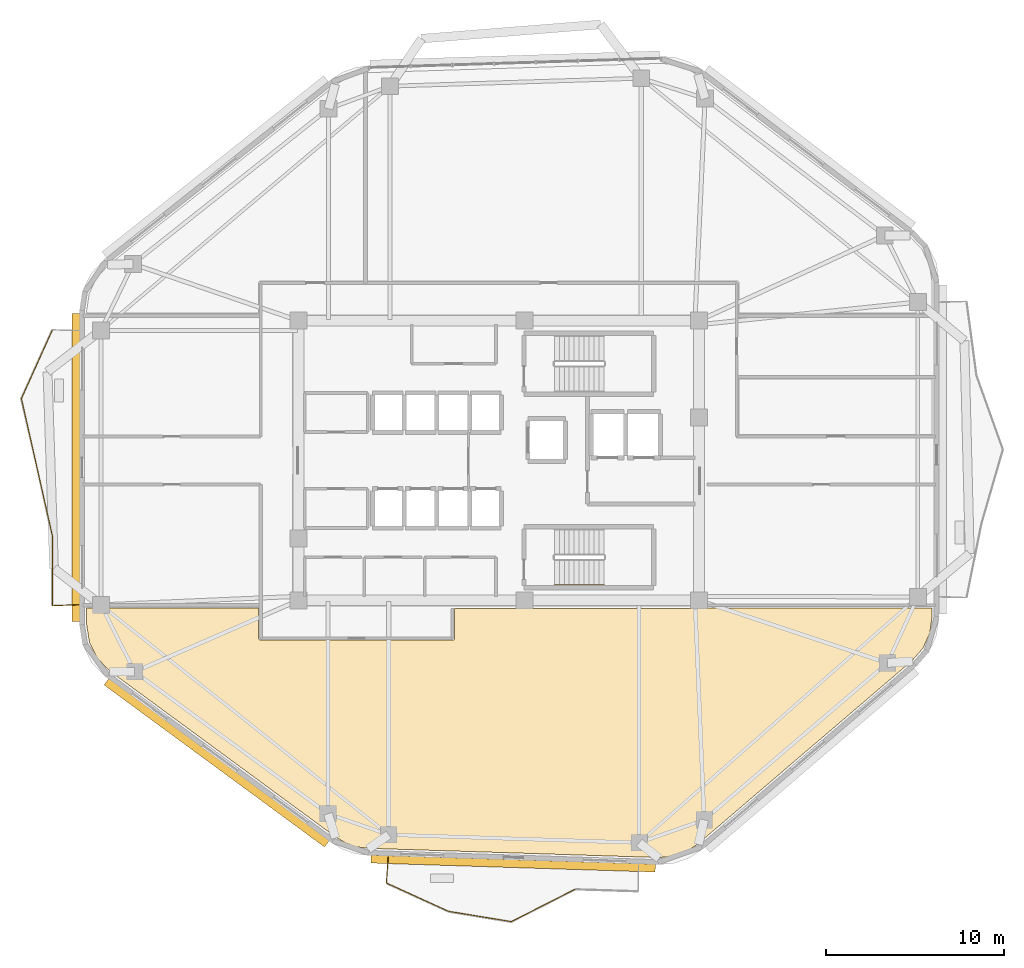
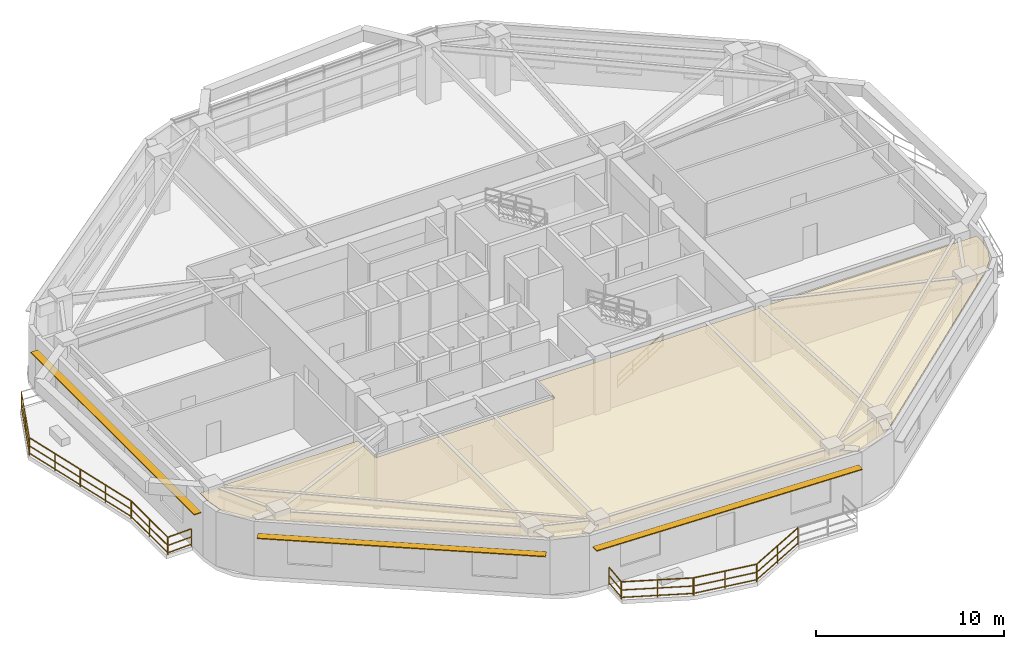
# One storey, part 10 of 12: 9 railings, 3 shading devices, 1 covering.
"""IFC4 building model written with IfcOpenShell, lengths in metres."""

from ifc_helpers import new_model, si_unit, direction, frame, origin, origin_2d, place, context, subcontext, project, spatial, polyline, rectangle, outline, extrude, material, layer, layer_set, type_object, element, save


model = new_model("IFC4")

# Units and contexts
model_context = context("Model", 3, precision=1e-05, world=origin(), true_north=direction((0.0, 1.0)))
body_context = subcontext(model_context, "Body", "Model", "MODEL_VIEW")
ifc_project = project(units=[si_unit("LENGTHUNIT", "METRE"), si_unit("AREAUNIT", "SQUARE_METRE"), si_unit("VOLUMEUNIT", "CUBIC_METRE"), si_unit("PLANEANGLEUNIT", "RADIAN"), si_unit("MASSUNIT", "GRAM", prefix="KILO")], contexts=[model_context])

# Site, building, storey
site_placement = place(None, origin())
site = spatial("IfcSite", under=ifc_project, at=site_placement, CompositionType="ELEMENT")
building_placement = place(site_placement, origin())
building = spatial("IfcBuilding", under=site, at=building_placement, Name="Zulverin Broadcast Headquarters", CompositionType="ELEMENT")
storey_placement = place(building_placement, frame((0.0, 0.0, 170.60009765625)))
storey = spatial("IfcBuildingStorey", under=building, at=storey_placement, Name="L43", CompositionType="ELEMENT", Elevation=170.60009765625)

# Covering
ifc_material_1 = material(Name="Perforated pale-metal acoustic baffle ceiling", Category="aluminium")
ifc_layer_1 = layer(ifc_material_1, 0.0400390625, Name="Perforated pale-metal acoustic baffle ceiling", Category="aluminium")
ifc_layer_set_1 = layer_set([ifc_layer_1], Name="Perforated pale-metal acoustic baffle ceiling")
covering_type = type_object("IfcCoveringType", Name="COV-CEIL-ACOU", PredefinedType="CEILING", material=ifc_layer_set_1)
covering_placement = place(storey_placement, frame((0.0, 0.0, 3.35986328125)))
element("IfcCovering", 1, at=covering_placement, inside=storey, type_object=covering_type, Name="L43 Acoustic Baffle Ceiling 03", PredefinedType="CEILING", context=body_context, shape_type="SweptSolid", body=[
    extrude(outline(polyline([(23.48388671875, 15.176025390625), (23.47998046875, 15.18798828125), (23.47998046875, 15.199951171875), (23.47998046875, 16.89990234375), (13.800048828125, 16.89990234375), (13.800048828125, 15.951904296875), (13.9599609375, 14.93994140625), (14.407958984375, 14.055908203125), (15.132080078125, 13.323974609375), (27.823974609375, 3.99609375), (28.39599609375, 3.659912109375), (29.0, 3.447998046875), (29.652099609375, 3.364013671875), (46.008056640625, 2.843994140625), (46.820068359375, 2.919921875), (47.56005859375, 3.179931640625), (48.236083984375, 3.6279296875), (60.260009765625, 13.916015625), (60.884033203125, 14.6279296875), (61.263916015625, 15.464111328125), (61.39990234375, 16.39599609375), (61.39990234375, 16.89990234375), (48.66796875, 16.89990234375), (48.656005859375, 16.89599609375), (48.64404296875, 16.887939453125), (48.635986328125, 16.884033203125), (48.6240234375, 16.884033203125), (48.612060546875, 16.8798828125), (48.60009765625, 16.8798828125), (34.52001953125, 16.8798828125), (34.52001953125, 15.199951171875), (34.52001953125, 15.18798828125), (34.51611328125, 15.176025390625), (34.51611328125, 15.1640625), (34.511962890625, 15.156005859375), (34.50390625, 15.14404296875), (34.5, 15.132080078125), (34.491943359375, 15.1240234375), (34.48388671875, 15.115966796875), (34.47607421875, 15.10791015625), (34.468017578125, 15.10009765625), (34.4560546875, 15.095947265625), (34.444091796875, 15.087890625), (34.43603515625, 15.083984375), (34.424072265625, 15.083984375), (34.412109375, 15.080078125), (34.39990234375, 15.080078125), (23.60009765625, 15.080078125), (23.587890625, 15.080078125), (23.575927734375, 15.083984375), (23.56396484375, 15.083984375), (23.555908203125, 15.087890625), (23.5439453125, 15.095947265625), (23.531982421875, 15.10009765625), (23.52392578125, 15.10791015625), (23.51611328125, 15.115966796875), (23.508056640625, 15.1240234375), (23.5, 15.132080078125), (23.49609375, 15.14404296875), (23.488037109375, 15.156005859375), (23.48388671875, 15.1640625), (23.48388671875, 15.176025390625)])), origin(), (0.0, 0.0, 1.0), 0.0400390625),
])

# Railings
ifc_material_2 = material(Name="Brushed stainless steel & laminated glass balustrade", Category="steel")
railing_type_1 = type_object("IfcRailingType", Name="RL-GUARD-1150", PredefinedType="GUARDRAIL", material=ifc_material_2)
railing_1_placement = place(storey_placement, frame((30.779296875, 2.8876953125, 0.0)))
element("IfcRailing", 2, at=railing_1_placement, inside=storey, type_object=railing_type_1, Name="L43 Vertical-Forest Balcony Guardrail BAL_S Segment 01", PredefinedType="GUARDRAIL", context=body_context, shape_type="SweptSolid", body=[
    extrude(rectangle(XDim=0.048095703125, YDim=0.048095703125, at=origin_2d()), frame((0.0, 0.0, 1.1259765625), z_axis=(-0.072276661537, -0.997384621997, 0.0), x_axis=(0.997384621997, -0.072276661537, 0.0)), (0.0, 0.0, 1.0), 1.466064453125),
    extrude(rectangle(XDim=0.0419921875, YDim=0.0419921875, at=origin_2d()), frame((0.0, 0.0, 0.597900390625), z_axis=(-0.072276661537, -0.997384621997, 0.0), x_axis=(0.997384621997, -0.072276661537, 0.0)), (0.0, 0.0, 1.0), 1.466064453125),
    extrude(rectangle(XDim=0.0419921875, YDim=0.0419921875, at=origin_2d()), frame((0.0, 0.0, 0.1201171875), z_axis=(-0.072276661537, -0.997384621997, 0.0), x_axis=(0.997384621997, -0.072276661537, 0.0)), (0.0, 0.0, 1.0), 1.466064453125),
    extrude(rectangle(XDim=0.0419921875, YDim=0.0419921875, at=origin_2d()), origin(), (0.0, 0.0, 1.0), 1.101806640625),
    extrude(rectangle(XDim=0.0419921875, YDim=0.0419921875, at=origin_2d()), frame((-0.10595703125, -1.462158203125, 0.0)), (0.0, 0.0, 1.0), 1.101806640625),
])
railing_2_placement = place(storey_placement, frame((30.68603515625, 1.404296875, 0.0)))
element("IfcRailing", 3, at=railing_2_placement, inside=storey, type_object=railing_type_1, Name="L43 Vertical-Forest Balcony Guardrail BAL_S Segment 02", PredefinedType="GUARDRAIL", context=body_context, shape_type="SweptSolid", body=[
    extrude(rectangle(XDim=0.048095703125, YDim=0.048095703125, at=origin_2d()), frame((0.0, 0.0, 1.1259765625), z_axis=(0.910134269116, -0.414313422641, 0.0), x_axis=(0.414313422641, 0.910134269116, 0.0)), (0.0, 0.0, 1.0), 3.819091796875),
    extrude(rectangle(XDim=0.0419921875, YDim=0.0419921875, at=origin_2d()), frame((0.0, 0.0, 0.597900390625), z_axis=(0.910134269116, -0.414313422641, 0.0), x_axis=(0.414313422641, 0.910134269116, 0.0)), (0.0, 0.0, 1.0), 3.819091796875),
    extrude(rectangle(XDim=0.0419921875, YDim=0.0419921875, at=origin_2d()), frame((0.0, 0.0, 0.1201171875), z_axis=(0.910134269116, -0.414313422641, 0.0), x_axis=(0.414313422641, 0.910134269116, 0.0)), (0.0, 0.0, 1.0), 3.819091796875),
    extrude(rectangle(XDim=0.0419921875, YDim=0.0419921875, at=origin_2d()), origin(), (0.0, 0.0, 1.0), 1.101806640625),
    extrude(rectangle(XDim=0.0419921875, YDim=0.0419921875, at=origin_2d()), frame((1.73779296875, -0.791015625, 0.0)), (0.0, 0.0, 1.0), 1.101806640625),
    extrude(rectangle(XDim=0.0419921875, YDim=0.0419921875, at=origin_2d()), frame((3.475830078125, -1.582275390625, 0.0)), (0.0, 0.0, 1.0), 1.101806640625),
])
railing_3_placement = place(storey_placement, frame((34.1904296875, -0.186767578125, 0.0)))
element("IfcRailing", 4, at=railing_3_placement, inside=storey, type_object=railing_type_1, Name="L43 Vertical-Forest Balcony Guardrail BAL_S Segment 03", PredefinedType="GUARDRAIL", context=body_context, shape_type="SweptSolid", body=[
    extrude(rectangle(XDim=0.048095703125, YDim=0.048095703125, at=origin_2d()), frame((0.0, 0.0, 1.1259765625), z_axis=(0.986828744183, -0.161768444555, 0.0), x_axis=(0.161768444555, 0.986828744183, 0.0)), (0.0, 0.0, 1.0), 3.552734375),
    extrude(rectangle(XDim=0.0419921875, YDim=0.0419921875, at=origin_2d()), frame((0.0, 0.0, 0.597900390625), z_axis=(0.986828744183, -0.161768444555, 0.0), x_axis=(0.161768444555, 0.986828744183, 0.0)), (0.0, 0.0, 1.0), 3.552734375),
    extrude(rectangle(XDim=0.0419921875, YDim=0.0419921875, at=origin_2d()), frame((0.0, 0.0, 0.1201171875), z_axis=(0.986828744183, -0.161768444555, 0.0), x_axis=(0.161768444555, 0.986828744183, 0.0)), (0.0, 0.0, 1.0), 3.552734375),
    extrude(rectangle(XDim=0.0419921875, YDim=0.0419921875, at=origin_2d()), origin(), (0.0, 0.0, 1.0), 1.101806640625),
    extrude(rectangle(XDim=0.0419921875, YDim=0.0419921875, at=origin_2d()), frame((1.7529296875, -0.287353515625, 0.0)), (0.0, 0.0, 1.0), 1.101806640625),
    extrude(rectangle(XDim=0.0419921875, YDim=0.0419921875, at=origin_2d()), frame((3.505859375, -0.57470703125, 0.0)), (0.0, 0.0, 1.0), 1.101806640625),
])
railing_4_placement = place(storey_placement, frame((37.724609375, -0.757080078125, 0.0)))
element("IfcRailing", 5, at=railing_4_placement, inside=storey, type_object=railing_type_1, Name="L43 Vertical-Forest Balcony Guardrail BAL_S Segment 04", PredefinedType="GUARDRAIL", context=body_context, shape_type="SweptSolid", body=[
    extrude(rectangle(XDim=0.048095703125, YDim=0.048095703125, at=origin_2d()), frame((0.0, 0.0, 1.1259765625), z_axis=(0.891383883222, 0.453249128772, 0.0), x_axis=(-0.453249128772, 0.891383883222, 0.0)), (0.0, 0.0, 1.0), 4.02197265625),
    extrude(rectangle(XDim=0.0419921875, YDim=0.0419921875, at=origin_2d()), frame((0.0, 0.0, 0.597900390625), z_axis=(0.891383883222, 0.453249128772, 0.0), x_axis=(-0.453249128772, 0.891383883222, 0.0)), (0.0, 0.0, 1.0), 4.02197265625),
    extrude(rectangle(XDim=0.0419921875, YDim=0.0419921875, at=origin_2d()), frame((0.0, 0.0, 0.1201171875), z_axis=(0.891383883222, 0.453249128772, 0.0), x_axis=(-0.453249128772, 0.891383883222, 0.0)), (0.0, 0.0, 1.0), 4.02197265625),
    extrude(rectangle(XDim=0.0419921875, YDim=0.0419921875, at=origin_2d()), origin(), (0.0, 0.0, 1.0), 1.101806640625),
    extrude(rectangle(XDim=0.0419921875, YDim=0.0419921875, at=origin_2d()), frame((1.79248046875, 0.91162109375, 0.0)), (0.0, 0.0, 1.0), 1.101806640625),
    extrude(rectangle(XDim=0.0419921875, YDim=0.0419921875, at=origin_2d()), frame((3.585205078125, 1.822998046875, 0.0)), (0.0, 0.0, 1.0), 1.101806640625),
])
railing_5_placement = place(storey_placement, frame((11.873779296875, 32.5595703125, 0.0)))
element("IfcRailing", 6, at=railing_5_placement, inside=storey, type_object=railing_type_1, Name="L43 Vertical-Forest Balcony Guardrail BAL_W Segment 02", PredefinedType="GUARDRAIL", context=body_context, shape_type="SweptSolid", body=[
    extrude(rectangle(XDim=0.048095703125, YDim=0.048095703125, at=origin_2d()), frame((0.0, 0.0, 1.1259765625), z_axis=(-0.41125615734, -0.911519814952, 0.0), x_axis=(0.911519814952, -0.41125615734, 0.0)), (0.0, 0.0, 1.0), 4.235107421875),
    extrude(rectangle(XDim=0.0419921875, YDim=0.0419921875, at=origin_2d()), frame((0.0, 0.0, 0.597900390625), z_axis=(-0.41125615734, -0.911519814952, 0.0), x_axis=(0.911519814952, -0.41125615734, 0.0)), (0.0, 0.0, 1.0), 4.235107421875),
    extrude(rectangle(XDim=0.0419921875, YDim=0.0419921875, at=origin_2d()), frame((0.0, 0.0, 0.1201171875), z_axis=(-0.41125615734, -0.911519814952, 0.0), x_axis=(0.911519814952, -0.41125615734, 0.0)), (0.0, 0.0, 1.0), 4.235107421875),
    extrude(rectangle(XDim=0.0419921875, YDim=0.0419921875, at=origin_2d()), origin(), (0.0, 0.0, 1.0), 1.101806640625),
    extrude(rectangle(XDim=0.0419921875, YDim=0.0419921875, at=origin_2d()), frame((-0.870849609375, -1.93017578125, 0.0)), (0.0, 0.0, 1.0), 1.101806640625),
    extrude(rectangle(XDim=0.0419921875, YDim=0.0419921875, at=origin_2d()), frame((-1.74169921875, -3.8603515625, 0.0)), (0.0, 0.0, 1.0), 1.101806640625),
])
railing_6_placement = place(storey_placement, frame((10.12939453125, 28.6708984375, 0.0)))
element("IfcRailing", 7, at=railing_6_placement, inside=storey, type_object=railing_type_1, Name="L43 Vertical-Forest Balcony Guardrail BAL_W Segment 03", PredefinedType="GUARDRAIL", context=body_context, shape_type="SweptSolid", body=[
    extrude(rectangle(XDim=0.048095703125, YDim=0.048095703125, at=origin_2d()), frame((0.0, 0.0, 1.1259765625), z_axis=(0.22003156719, -0.975492752121, 0.0), x_axis=(0.975492752121, 0.22003156719, 0.0)), (0.0, 0.0, 1.0), 7.941162109375),
    extrude(rectangle(XDim=0.0419921875, YDim=0.0419921875, at=origin_2d()), frame((0.0, 0.0, 0.597900390625), z_axis=(0.22003156719, -0.975492752121, 0.0), x_axis=(0.975492752121, 0.22003156719, 0.0)), (0.0, 0.0, 1.0), 7.941162109375),
    extrude(rectangle(XDim=0.0419921875, YDim=0.0419921875, at=origin_2d()), frame((0.0, 0.0, 0.1201171875), z_axis=(0.22003156719, -0.975492752121, 0.0), x_axis=(0.975492752121, 0.22003156719, 0.0)), (0.0, 0.0, 1.0), 7.941162109375),
    extrude(rectangle(XDim=0.0419921875, YDim=0.0419921875, at=origin_2d()), origin(), (0.0, 0.0, 1.0), 1.101806640625),
    extrude(rectangle(XDim=0.0419921875, YDim=0.0419921875, at=origin_2d()), frame((0.436767578125, -1.9365234375, 0.0)), (0.0, 0.0, 1.0), 1.101806640625),
    extrude(rectangle(XDim=0.0419921875, YDim=0.0419921875, at=origin_2d()), frame((0.87353515625, -3.873291015625, 0.0)), (0.0, 0.0, 1.0), 1.101806640625),
    extrude(rectangle(XDim=0.0419921875, YDim=0.0419921875, at=origin_2d()), frame((1.310546875, -5.81005859375, 0.0)), (0.0, 0.0, 1.0), 1.101806640625),
    extrude(rectangle(XDim=0.0419921875, YDim=0.0419921875, at=origin_2d()), frame((1.747314453125, -7.74658203125, 0.0)), (0.0, 0.0, 1.0), 1.101806640625),
])
railing_7_placement = place(storey_placement, frame((11.8798828125, 20.894775390625, 0.0)))
element("IfcRailing", 8, at=railing_7_placement, inside=storey, type_object=railing_type_1, Name="L43 Vertical-Forest Balcony Guardrail BAL_W Segment 04", PredefinedType="GUARDRAIL", context=body_context, shape_type="SweptSolid", body=[
    extrude(rectangle(XDim=0.048095703125, YDim=0.048095703125, at=origin_2d()), frame((0.0, 0.0, 1.1259765625), z_axis=(0.0, -1.0, 0.0), x_axis=(1.0, 0.0, 0.0)), (0.0, 0.0, 1.0), 3.85791015625),
    extrude(rectangle(XDim=0.0419921875, YDim=0.0419921875, at=origin_2d()), frame((0.0, 0.0, 0.597900390625), z_axis=(0.0, -1.0, 0.0), x_axis=(1.0, 0.0, 0.0)), (0.0, 0.0, 1.0), 3.85791015625),
    extrude(rectangle(XDim=0.0419921875, YDim=0.0419921875, at=origin_2d()), frame((0.0, 0.0, 0.1201171875), z_axis=(0.0, -1.0, 0.0), x_axis=(1.0, 0.0, 0.0)), (0.0, 0.0, 1.0), 3.85791015625),
    extrude(rectangle(XDim=0.0419921875, YDim=0.0419921875, at=origin_2d()), origin(), (0.0, 0.0, 1.0), 1.101806640625),
    extrude(rectangle(XDim=0.0419921875, YDim=0.0419921875, at=origin_2d()), frame((0.0, -1.928955078125, 0.0)), (0.0, 0.0, 1.0), 1.101806640625),
    extrude(rectangle(XDim=0.0419921875, YDim=0.0419921875, at=origin_2d()), frame((0.0, -3.85791015625, 0.0)), (0.0, 0.0, 1.0), 1.101806640625),
])
railing_8_placement = place(storey_placement, frame((11.89501953125, 17.0224609375, 0.0)))
element("IfcRailing", 9, at=railing_8_placement, inside=storey, type_object=railing_type_1, Name="L43 Vertical-Forest Balcony Guardrail BAL_W Segment 05", PredefinedType="GUARDRAIL", context=body_context, shape_type="SweptSolid", body=[
    extrude(rectangle(XDim=0.048095703125, YDim=0.048095703125, at=origin_2d()), frame((0.0, 0.0, 1.1259765625), z_axis=(0.999181155166, 0.040460093435, 0.0), x_axis=(-0.040460093435, 0.999181155166, 0.0)), (0.0, 0.0, 1.0), 1.46630859375),
    extrude(rectangle(XDim=0.0419921875, YDim=0.0419921875, at=origin_2d()), frame((0.0, 0.0, 0.597900390625), z_axis=(0.999181155166, 0.040460093435, 0.0), x_axis=(-0.040460093435, 0.999181155166, 0.0)), (0.0, 0.0, 1.0), 1.46630859375),
    extrude(rectangle(XDim=0.0419921875, YDim=0.0419921875, at=origin_2d()), frame((0.0, 0.0, 0.1201171875), z_axis=(0.999181155166, 0.040460093435, 0.0), x_axis=(-0.040460093435, 0.999181155166, 0.0)), (0.0, 0.0, 1.0), 1.46630859375),
    extrude(rectangle(XDim=0.0419921875, YDim=0.0419921875, at=origin_2d()), origin(), (0.0, 0.0, 1.0), 1.101806640625),
    extrude(rectangle(XDim=0.0419921875, YDim=0.0419921875, at=origin_2d()), frame((1.465087890625, 0.059326171875, 0.0)), (0.0, 0.0, 1.0), 1.101806640625),
])
ifc_material_3 = material(Name="Brushed stainless steel 48 mm handrail", Category="steel")
railing_type_2 = type_object("IfcRailingType", Name="RL-ST-HAND", PredefinedType="HANDRAIL", material=ifc_material_3)
railing_9_placement = place(storey_placement, frame((40.1298828125, 18.199951171875, 0.172607421875)))
element("IfcRailing", 10, at=railing_9_placement, inside=storey, type_object=railing_type_2, Name="L43 ST-2 stair handrail 1", PredefinedType="HANDRAIL", context=body_context, shape_type="SweptSolid", body=[
    extrude(rectangle(XDim=0.048095703125, YDim=0.048095703125, at=origin_2d()), frame((0.0, 0.0, 0.8759765625), z_axis=(0.851089632645, 0.0, 0.525020415988), x_axis=(0.0, 1.0, 0.0)), (0.0, 0.0, 1.0), 3.2900390625),
    extrude(rectangle(XDim=0.0419921875, YDim=0.0419921875, at=origin_2d()), frame((0.0, 0.0, 0.468017578125), z_axis=(0.851089632645, 0.0, 0.525020415988), x_axis=(0.0, 1.0, 0.0)), (0.0, 0.0, 1.0), 3.2900390625),
    extrude(rectangle(XDim=0.0419921875, YDim=0.0419921875, at=origin_2d()), frame((0.0, 0.0, 0.1201171875), z_axis=(0.851089632645, 0.0, 0.525020415988), x_axis=(0.0, 1.0, 0.0)), (0.0, 0.0, 1.0), 3.2900390625),
    extrude(rectangle(XDim=0.0419921875, YDim=0.0419921875, at=origin_2d()), origin(), (0.0, 0.0, 1.0), 0.851806640625),
    extrude(rectangle(XDim=0.0419921875, YDim=0.0419921875, at=origin_2d()), frame((0.933349609375, 0.0, 0.57568359375)), (0.0, 0.0, 1.0), 0.851806640625),
    extrude(rectangle(XDim=0.0419921875, YDim=0.0419921875, at=origin_2d()), frame((1.86669921875, 0.0, 1.151611328125)), (0.0, 0.0, 1.0), 0.851806640625),
    extrude(rectangle(XDim=0.0419921875, YDim=0.0419921875, at=origin_2d()), frame((2.800048828125, 0.0, 1.727294921875)), (0.0, 0.0, 1.0), 0.851806640625),
])

# Shading devices
ifc_material_4 = material(Name="Anodized pale-metal aluminium sunshade", Category="aluminium")
ifc_layer_2 = layer(ifc_material_4, 0.06005859375, Name="Anodized pale-metal aluminium sunshade", Category="aluminium")
ifc_layer_set_2 = layer_set([ifc_layer_2], Name="Anodized pale-metal aluminium sunshade")
shading_device_type = type_object("IfcShadingDeviceType", Name="SS-01_PALE_METAL_ALUMINIUM_SUNSHADE", PredefinedType="USERDEFINED", material=ifc_layer_set_2)
shading_device_1_placement = place(storey_placement, frame((37.814697265625, 2.504638671875, 2.7099609375), z_axis=(0.0, 0.0, 1.0), x_axis=(0.999497141269, -0.031709061709, 0.0)))
element("IfcShadingDevice", 11, at=shading_device_1_placement, inside=storey, type_object=shading_device_type, Name="L43 Horizontal Pale-Metal Sunshade Band 1", ObjectType="SUNSHADE", PredefinedType="USERDEFINED", context=body_context, shape_type="SweptSolid", body=[
    extrude(rectangle(XDim=16.00830078125, YDim=0.449951171875, at=origin_2d()), origin(), (0.0, 0.0, 1.0), 0.06005859375),
])
shading_device_2_placement = place(storey_placement, frame((13.199951171875, 24.797607421875, 2.7099609375), z_axis=(0.0, 0.0, 1.0), x_axis=(0.0, -1.0, 0.0)))
element("IfcShadingDevice", 12, at=shading_device_2_placement, inside=storey, type_object=shading_device_type, Name="L43 Horizontal Pale-Metal Sunshade Band 7", ObjectType="SUNSHADE", PredefinedType="USERDEFINED", context=body_context, shape_type="SweptSolid", body=[
    extrude(rectangle(XDim=17.351318359375, YDim=0.449951171875, at=origin_2d()), origin(), (0.0, 0.0, 1.0), 0.06005859375),
])
shading_device_3_placement = place(storey_placement, frame((21.1171875, 8.180419921875, 2.7099609375), z_axis=(0.0, 0.0, 1.0), x_axis=(0.805802206513, -0.592184771822, 0.0)))
element("IfcShadingDevice", 13, at=shading_device_3_placement, inside=storey, type_object=shading_device_type, Name="L43 Horizontal Pale-Metal Sunshade Band 8", ObjectType="SUNSHADE", PredefinedType="USERDEFINED", context=body_context, shape_type="SweptSolid", body=[
    extrude(rectangle(XDim=15.404541015625, YDim=0.449951171875, at=origin_2d()), origin(), (0.0, 0.0, 1.0), 0.06005859375),
])

save(model, "model.ifc")
